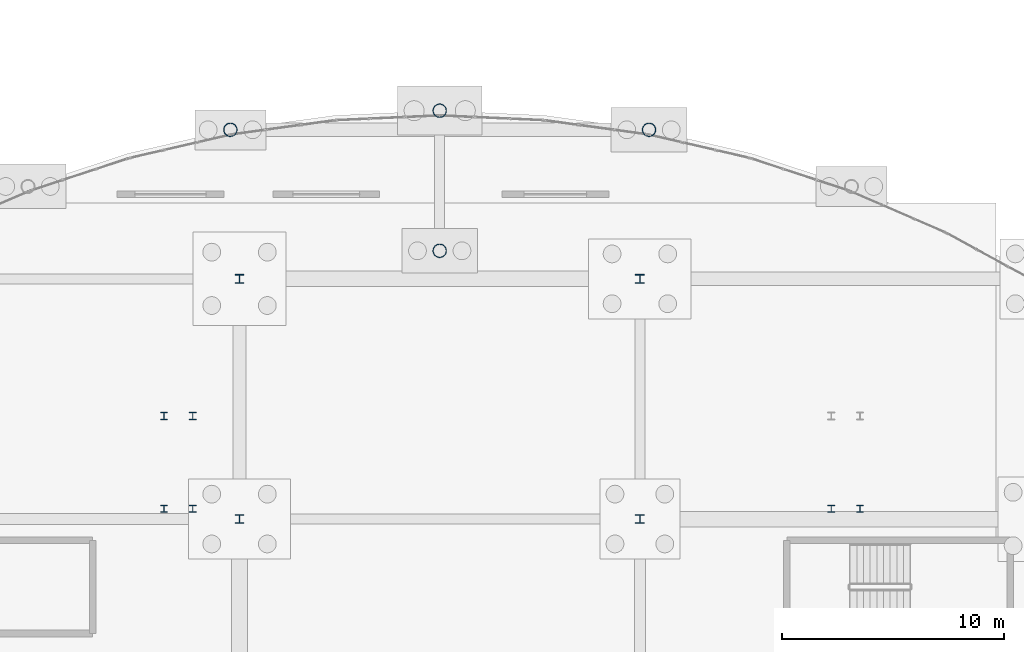
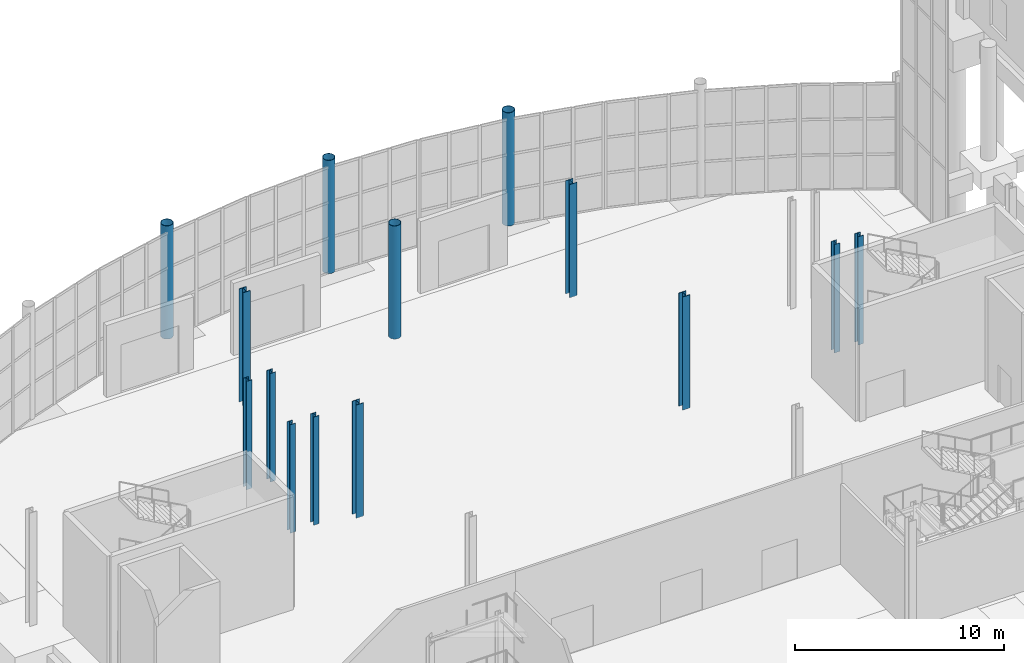
# One storey, part 23 of 115: 14 columns.
"""IFC4 building model written with IfcOpenShell, lengths in metres."""

from ifc_helpers import new_model, si_unit, direction, frame, origin, origin_2d, place, context, subcontext, project, spatial, hollow_circle, i_section, extrude, material, material_profile, profile_set, type_object, element, save


model = new_model("IFC4")

# Units and contexts
model_context = context("Model", 3, precision=1e-05, world=origin(), true_north=direction((0.0, 1.0)))
body_context = subcontext(model_context, "Body", "Model", "MODEL_VIEW")
ifc_project = project(units=[si_unit("LENGTHUNIT", "METRE"), si_unit("AREAUNIT", "SQUARE_METRE"), si_unit("VOLUMEUNIT", "CUBIC_METRE"), si_unit("PLANEANGLEUNIT", "RADIAN"), si_unit("MASSUNIT", "GRAM", prefix="KILO")], contexts=[model_context])

# Site, building, storey
site_placement = place(None, origin())
site = spatial("IfcSite", under=ifc_project, at=site_placement, CompositionType="ELEMENT")
building_placement = place(site_placement, origin())
building = spatial("IfcBuilding", under=site, at=building_placement, Name="Tamarisk Ironworks Central Station", CompositionType="ELEMENT")
storey_placement = place(building_placement, origin())
storey = spatial("IfcBuildingStorey", under=building, at=storey_placement, Name="L00", CompositionType="ELEMENT", Elevation=0.0)

# Columns
ifc_material_1 = material(Name="Structural steel S355J2", Category="steel")
ifc_material_profile_1 = material_profile(ifc_material_1, i_section(OverallWidth=0.40087890625, OverallDepth=0.39892578125, WebThickness=0.018798828125, FlangeThickness=0.029052734375, at=origin_2d()), Name="HD 400x314")
ifc_profile_set_1 = profile_set([ifc_material_profile_1], Name="Structural steel S355J2")
column_type_1 = type_object("IfcColumnType", Name="COL-S04", PredefinedType="COLUMN", material=ifc_profile_set_1)
for number, where, z_axis, x_axis, name in (
    (1, (72.0, 100.800048828125, 0.0), (0.0, 0.0, 1.0), (1.0, 0.0, 0.0), "L00 column V2-09J"),
    (2, (72.0, 111.60009765625, 0.0), (0.0, 0.0, 1.0), (1.0, 0.0, 0.0), "L00 column V2-09L"),
    (3, (90.0, 100.800048828125, 0.0), (0.0, 0.0, 1.0), (1.0, 0.0, 0.0), "L00 column V2-12J"),
    (4, (90.0, 111.60009765625, 0.0), (0.0, 0.0, 1.0), (1.0, 0.0, 0.0), "L00 column V2-12L"),
):
    element("IfcColumn", number, at=place(storey_placement, frame(where, z_axis=z_axis, x_axis=x_axis)), inside=storey, type_object=column_type_1, Name=name, PredefinedType="COLUMN", context=body_context, shape_type="SweptSolid", body=[
        extrude(i_section(OverallWidth=0.40087890625, OverallDepth=0.39892578125, WebThickness=0.018798828125, FlangeThickness=0.029052734375, at=origin_2d()), origin(), (0.0, 0.0, 1.0), 6.60009765625),
    ])
ifc_material_profile_2 = material_profile(ifc_material_1, i_section(OverallWidth=0.300048828125, OverallDepth=0.320068359375, WebThickness=0.011474609375, FlangeThickness=0.0205078125, at=origin_2d()), Name="HEB 320")
ifc_profile_set_2 = profile_set([ifc_material_profile_2], Name="Structural steel S355J2")
column_type_2 = type_object("IfcColumnType", Name="COL-S11", PredefinedType="COLUMN", material=ifc_profile_set_2)
for number, where, z_axis, x_axis, name in (
    (5, (68.60009765625, 101.264892578125, 0.0), (0.0, 0.0, 1.0), (1.0, 0.0, 0.0), "ST-MZ1 ground transfer post Z1-1"),
    (6, (69.89990234375, 101.264892578125, 0.0), (0.0, 0.0, 1.0), (1.0, 0.0, 0.0), "ST-MZ1 ground transfer post Z1-2"),
    (7, (68.60009765625, 105.43505859375, 0.0), (0.0, 0.0, 1.0), (1.0, 0.0, 0.0), "ST-MZ1 ground transfer post Z1-3"),
    (8, (69.89990234375, 105.43505859375, 0.0), (0.0, 0.0, 1.0), (1.0, 0.0, 0.0), "ST-MZ1 ground transfer post Z1-4"),
    (9, (98.60009765625, 101.264892578125, 0.0), (0.0, 0.0, 1.0), (1.0, 0.0, 0.0), "ST-MZ2 ground transfer post Z1-1"),
    (10, (99.89990234375, 101.264892578125, 0.0), (0.0, 0.0, 1.0), (1.0, 0.0, 0.0), "ST-MZ2 ground transfer post Z1-2"),
):
    element("IfcColumn", number, at=place(storey_placement, frame(where, z_axis=z_axis, x_axis=x_axis)), inside=storey, type_object=column_type_2, Name=name, PredefinedType="COLUMN", context=body_context, shape_type="SweptSolid", body=[
        extrude(i_section(OverallWidth=0.300048828125, OverallDepth=0.320068359375, WebThickness=0.011474609375, FlangeThickness=0.0205078125, at=origin_2d()), origin(), (0.0, 0.0, 1.0), 6.320068359375),
    ])
ifc_material_2 = material(Name="Painted structural steel S355J2", Category="steel")
ifc_material_profile_3 = material_profile(ifc_material_2, hollow_circle(Radius=0.304931640625, WallThickness=0.02001953125, at=origin_2d()), Name="CHS 610x20")
ifc_profile_set_3 = profile_set([ifc_material_profile_3], Name="Painted structural steel S355J2")
column_type_3 = type_object("IfcColumnType", Name="COL-S15", PredefinedType="COLUMN", material=ifc_profile_set_3)
for number, where, z_axis, x_axis, name in (
    (11, (81.0, 112.860107421875, 0.0), (0.0, 0.0, 1.0), (1.0, 0.0, 0.0), "L00 column V2-NAC"),
    (12, (71.589111328125, 118.30029296875, 0.0), (0.0, 0.0, 1.0), (1.0, 0.0, 0.0), "L00 column V2-NN04"),
    (13, (81.0, 119.158935546875, 0.0), (0.0, 0.0, 1.0), (1.0, 0.0, 0.0), "L00 column V2-NN06"),
    (14, (90.410888671875, 118.30029296875, 0.0), (0.0, 0.0, 1.0), (1.0, 0.0, 0.0), "L00 column V2-NN08"),
):
    element("IfcColumn", number, at=place(storey_placement, frame(where, z_axis=z_axis, x_axis=x_axis)), inside=storey, type_object=column_type_3, Name=name, PredefinedType="COLUMN", context=body_context, shape_type="SweptSolid", body=[
        extrude(hollow_circle(Radius=0.304931640625, WallThickness=0.02001953125, at=origin_2d()), origin(), (0.0, 0.0, 1.0), 6.60009765625),
    ])

save(model, "model.ifc")
